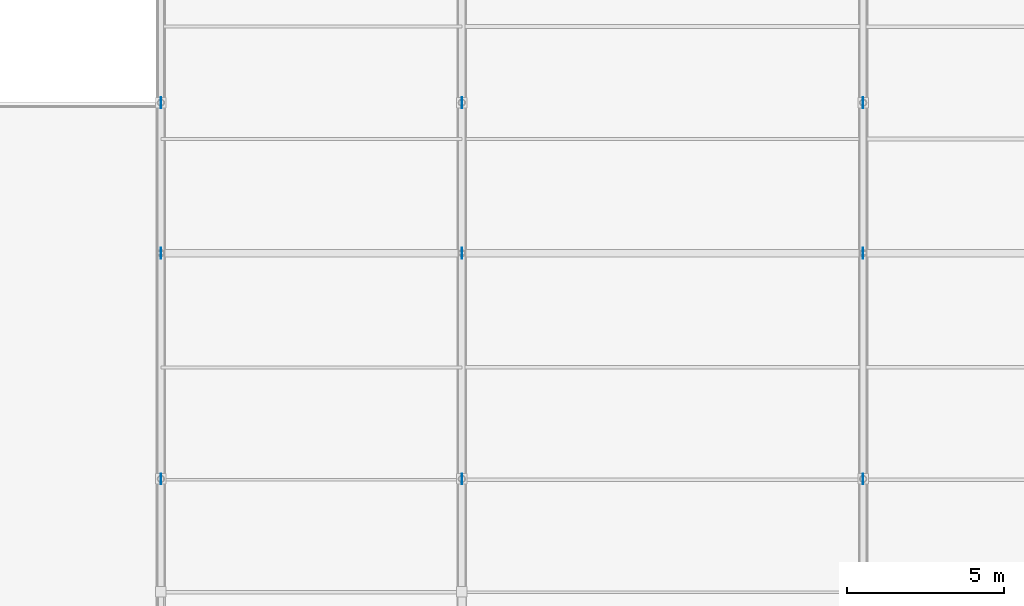
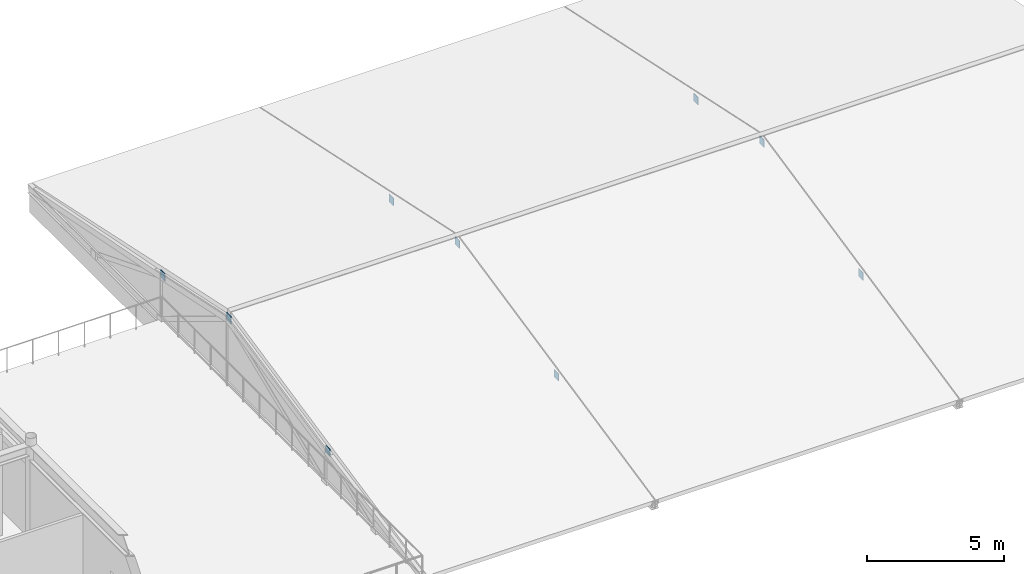
# One storey, part 44 of 61: 9 plates.
"""IFC4 building model written with IfcOpenShell, lengths in metres."""

import ifcopenshell
import ifcopenshell.guid

model = None  # the IFC model being written
_history = None  # IfcOwnerHistory: only IFC2X3 demands one
_inside = {}  # id of a spatial element -> (the spatial element, [elements in it])
_under = {}  # id of a project, library or spatial element -> (it, [spatial elements below it])
_declared = {}  # id of a project -> (the project, [libraries it declares])
_typed = {}  # id of a type object -> (the type object, [elements of that type])
_made_of = {}  # id of a material, layer set ... -> (it, [elements and type objects made of it])


def new_model(schema):
    """Start an empty IFC model of exactly this schema.

    Asked for "IFC4X3", IfcOpenShell would pick the latest addendum, in which some entities
    have other attributes; the version numbers below select the first issue.
    IFC2X3 requires an IfcOwnerHistory on every rooted entity: one is made here for all.
    """
    global model, _history
    if schema == "IFC4X3":
        model = ifcopenshell.file(schema_version=(4, 3, 0, 0))
    else:
        model = ifcopenshell.file(schema=schema)
    _inside.clear()
    _under.clear()
    _declared.clear()
    _typed.clear()
    _made_of.clear()
    _history = None
    if model.schema == "IFC2X3":
        org = make("IfcOrganization", Name="unknown")
        user = make(
            "IfcPersonAndOrganization",
            ThePerson=make("IfcPerson", FamilyName="unknown"),
            TheOrganization=org,
        )
        app = make(
            "IfcApplication",
            ApplicationDeveloper=org,
            Version="unknown",
            ApplicationFullName="unknown",
            ApplicationIdentifier="unknown",
        )
        _history = make(
            "IfcOwnerHistory",
            OwningUser=user,
            OwningApplication=app,
            ChangeAction="ADDED",
            CreationDate=0,
        )
    return model


def make(cls, **values):
    """One entity of the class cls with the attributes given. An attribute that is None is left unset."""
    return model.create_entity(
        cls, **{name: value for name, value in values.items() if value is not None}
    )


def rooted(cls, **values):
    """An entity with a GlobalId (a new one), such as an element, a storey or a relation."""
    return make(cls, GlobalId=ifcopenshell.guid.new(), OwnerHistory=_history, **values)


def si_unit(unit_type, name, prefix=None):
    """IfcSIUnit, for example si_unit("LENGTHUNIT", "METRE", prefix="MILLI")."""
    return make("IfcSIUnit", UnitType=unit_type, Prefix=prefix, Name=name)


def assignment(units):
    """IfcUnitAssignment: the units of a project."""
    return None if units is None else make("IfcUnitAssignment", Units=units)


def point(xyz):
    """IfcCartesianPoint."""
    return None if xyz is None else make("IfcCartesianPoint", Coordinates=xyz)


def direction(xyz):
    """IfcDirection."""
    return None if xyz is None else make("IfcDirection", DirectionRatios=xyz)


def frame(location, z_axis=None, x_axis=None):
    """IfcAxis2Placement3D, a coordinate frame: its origin and axes. An axis left out is left unset."""
    return make(
        "IfcAxis2Placement3D",
        Location=point(location),
        Axis=direction(z_axis),
        RefDirection=direction(x_axis),
    )


def frame_2d(location, x_axis=None):
    """IfcAxis2Placement2D, a coordinate frame in the plane: its origin and x axis."""
    return make(
        "IfcAxis2Placement2D", Location=point(location), RefDirection=direction(x_axis)
    )


def origin():
    """The frame at (0, 0, 0) with its axes left unset."""
    return frame((0.0, 0.0, 0.0))


def origin_2d():
    """The frame at (0, 0) in the plane with its x axis left unset."""
    return frame_2d((0.0, 0.0))


def place(relative_to, where):
    """IfcLocalPlacement: puts the frame where relative to a parent placement (None: the world)."""
    return make(
        "IfcLocalPlacement", PlacementRelTo=relative_to, RelativePlacement=where
    )


def context(
    kind, dimensions, precision=None, world=None, true_north=None, identifier=None
):
    """IfcGeometricRepresentationContext, for example the 3D "Model" context."""
    return make(
        "IfcGeometricRepresentationContext",
        ContextIdentifier=identifier,
        ContextType=kind,
        CoordinateSpaceDimension=dimensions,
        Precision=precision,
        WorldCoordinateSystem=world,
        TrueNorth=true_north,
    )


def subcontext(parent, identifier, kind, view, scale=None):
    """IfcGeometricRepresentationSubContext, for example "Body" below "Model"."""
    return make(
        "IfcGeometricRepresentationSubContext",
        ContextIdentifier=identifier,
        ContextType=kind,
        ParentContext=parent,
        TargetScale=scale,
        TargetView=view,
    )


def project(units=None, contexts=None):
    """IfcProject with its units and contexts."""
    return rooted(
        "IfcProject",
        Name="project",
        RepresentationContexts=contexts,
        UnitsInContext=assignment(units),
    )


def spatial(cls, under=None, at=None, **own):
    """A site, building, storey or space (cls), placed at a placement, below another one or the project."""
    s = rooted(cls, ObjectPlacement=at, **own)
    if under is not None:
        _under.setdefault(under.id(), (under, []))[1].append(s)
    return s


def profile(cls, at=None, kind="AREA", **sizes):
    """A parametric profile (cls). Its sizes go by their IFC names, for example OverallWidth=200.0."""
    return make(cls, ProfileType=kind, Position=at, **sizes)


def rectangle(**sizes):
    """IfcRectangleProfileDef."""
    return profile("IfcRectangleProfileDef", **sizes)


def extrude(swept, where, along, depth):
    """IfcExtrudedAreaSolid: the profile swept, set in the frame where, extruded along a direction by depth."""
    return make(
        "IfcExtrudedAreaSolid",
        SweptArea=swept,
        Position=where,
        ExtrudedDirection=direction(along),
        Depth=depth,
    )


def shape(context_of_items, identifier, shape_type, items):
    """IfcShapeRepresentation: the items that make up one representation, for example the "Body"."""
    return make(
        "IfcShapeRepresentation",
        ContextOfItems=context_of_items,
        RepresentationIdentifier=identifier,
        RepresentationType=shape_type,
        Items=items,
    )


def material(Name=None, Category=None):
    """IfcMaterial."""
    return make("IfcMaterial", Name=Name, Category=Category)


def layer(
    of_material, thickness, ventilated=None, Name=None, Category=None, Priority=None
):
    """IfcMaterialLayer: one layer of a wall or slab, of a material (None: an air gap)."""
    return make(
        "IfcMaterialLayer",
        Material=of_material,
        LayerThickness=thickness,
        IsVentilated=ventilated,
        Name=Name,
        Category=Category,
        Priority=Priority,
    )


def layer_set(layers, Name=None):
    """IfcMaterialLayerSet."""
    return make("IfcMaterialLayerSet", MaterialLayers=layers, LayerSetName=Name)


def made_of(thing, what):
    """Note that an element or type object is made of a material, layer set ...; save() writes the relation."""
    if what is not None:
        _made_of.setdefault(what.id(), (what, []))[1].append(thing)
    return thing


def type_object(cls, material=None, **own):
    """A type object (cls), such as IfcWallType, which elements share."""
    return made_of(rooted(cls, **own), material)


def element(
    cls,
    number,
    at=None,
    inside=None,
    cuts=None,
    type_object=None,
    material=None,
    context=None,
    identifier="Body",
    shape_type=None,
    held_by="IfcProductDefinitionShape",
    body=None,
    shapes=None,
    **own,
):
    """One element of the class cls, such as IfcWall. Its Tag is "e" and its number.

    at: its placement. inside: the storey or other place that contains it. cuts: it is an
    opening in that element (IfcRelVoidsElement). A single representation is given by context,
    identifier, shape_type and body (its items); several are given by shapes. held_by: the class
    of the entity that holds the representations. save() writes the other relations.
    """
    e = rooted(cls, Tag="e%d" % number, ObjectPlacement=at, **own)
    if body is not None:
        shapes = [shape(context, identifier, shape_type, body)]
    if shapes is not None:
        e.Representation = make(held_by, Representations=shapes)
    if inside is not None:
        _inside.setdefault(inside.id(), (inside, []))[1].append(e)
    if cuts is not None:
        rooted(
            "IfcRelVoidsElement", RelatingBuildingElement=cuts, RelatedOpeningElement=e
        )
    if type_object is not None:
        _typed.setdefault(type_object.id(), (type_object, []))[1].append(e)
    return made_of(e, material)


def aggregate(whole, parts):
    """IfcRelAggregates: a whole, such as a stair, and the parts it consists of."""
    return rooted("IfcRelAggregates", RelatingObject=whole, RelatedObjects=parts)


def save(model, path):
    """Write the relations noted so far, then the file.

    IfcRelAggregates (storeys below a building ...), IfcRelContainedInSpatialStructure (elements
    in a storey), IfcRelDefinesByType, IfcRelAssociatesMaterial and IfcRelDeclares: one each for
    every whole, place, type object, material and project.
    """
    for whole, parts in _under.values():
        aggregate(whole, parts)
    for where, things in _inside.values():
        rooted(
            "IfcRelContainedInSpatialStructure",
            RelatedElements=things,
            RelatingStructure=where,
        )
    for kind, things in _typed.values():
        rooted("IfcRelDefinesByType", RelatedObjects=things, RelatingType=kind)
    for what, things in _made_of.values():
        rooted("IfcRelAssociatesMaterial", RelatedObjects=things, RelatingMaterial=what)
    for by, libraries in _declared.values():
        rooted("IfcRelDeclares", RelatingContext=by, RelatedDefinitions=libraries)
    model.write(path)


model = new_model("IFC4")

# Units and contexts
model_context = context("Model", 3, precision=1e-05, world=origin(), true_north=direction((0.0, 1.0)))
body_context = subcontext(model_context, "Body", "Model", "MODEL_VIEW")
ifc_project = project(units=[si_unit("LENGTHUNIT", "METRE"), si_unit("AREAUNIT", "SQUARE_METRE"), si_unit("VOLUMEUNIT", "CUBIC_METRE"), si_unit("PLANEANGLEUNIT", "RADIAN"), si_unit("MASSUNIT", "GRAM", prefix="KILO")], contexts=[model_context])

# Site, building, storey
site_placement = place(None, origin())
site = spatial("IfcSite", under=ifc_project, at=site_placement, CompositionType="ELEMENT")
building_placement = place(site_placement, origin())
building = spatial("IfcBuilding", under=site, at=building_placement, Name="Fikremerkos Civic Library", CompositionType="ELEMENT")
storey_placement = place(building_placement, frame((0.0, 0.0, 14.39990234375)))
storey = spatial("IfcBuildingStorey", under=building, at=storey_placement, Name="L03", CompositionType="ELEMENT", Elevation=14.39990234375)

# Plates
ifc_material = material(Name="Steel S355", Category="steel")
ifc_layer = layer(ifc_material, 0.02001953125, Name="Steel S355")
ifc_layer_set = layer_set([ifc_layer], Name="Steel S355")
plate_type = type_object("IfcPlateType", Name="Steel gusset cap plate GSP-03 340x340x20", PredefinedType="USERDEFINED", material=ifc_layer_set)
for number, where, z_axis, x_axis, name in (
    (1, (124.800048828125, 19.199951171875, 1.220703125), (0.0, 0.0, 1.0), (1.0, 0.0, 0.0), "Steel gusset cap plate GSP-03 #44"),
    (2, (124.800048828125, 26.39990234375, 2.7509765625), (0.0, 0.0, 1.0), (1.0, 0.0, 0.0), "Steel gusset cap plate GSP-03 #45"),
    (3, (124.800048828125, 31.199951171875, 1.73046875), (0.0, 0.0, 1.0), (1.0, 0.0, 0.0), "Steel gusset cap plate GSP-03 #46"),
    (4, (134.39990234375, 19.199951171875, 1.220703125), (0.0, 0.0, 1.0), (1.0, 0.0, 0.0), "Steel gusset cap plate GSP-03 #47"),
    (5, (134.39990234375, 26.39990234375, 2.7509765625), (0.0, 0.0, 1.0), (1.0, 0.0, 0.0), "Steel gusset cap plate GSP-03 #48"),
    (6, (134.39990234375, 31.199951171875, 1.73046875), (0.0, 0.0, 1.0), (1.0, 0.0, 0.0), "Steel gusset cap plate GSP-03 #49"),
    (7, (147.199951171875, 19.199951171875, 1.220703125), (0.0, 0.0, 1.0), (1.0, 0.0, 0.0), "Steel gusset cap plate GSP-03 #50"),
    (8, (147.199951171875, 26.39990234375, 2.7509765625), (0.0, 0.0, 1.0), (1.0, 0.0, 0.0), "Steel gusset cap plate GSP-03 #51"),
    (9, (147.199951171875, 31.199951171875, 1.73046875), (0.0, 0.0, 1.0), (1.0, 0.0, 0.0), "Steel gusset cap plate GSP-03 #52"),
):
    element("IfcPlate", number, at=place(storey_placement, frame(where, z_axis=z_axis, x_axis=x_axis)), inside=storey, type_object=plate_type, Name=name, ObjectType="GUSSET PLATE", PredefinedType="USERDEFINED", context=body_context, shape_type="SweptSolid", body=[
        extrude(rectangle(XDim=0.02001953125, YDim=0.340087890625, at=origin_2d()), origin(), (0.0, 0.0, 1.0), 0.340087890625),
    ])

save(model, "model.ifc")
